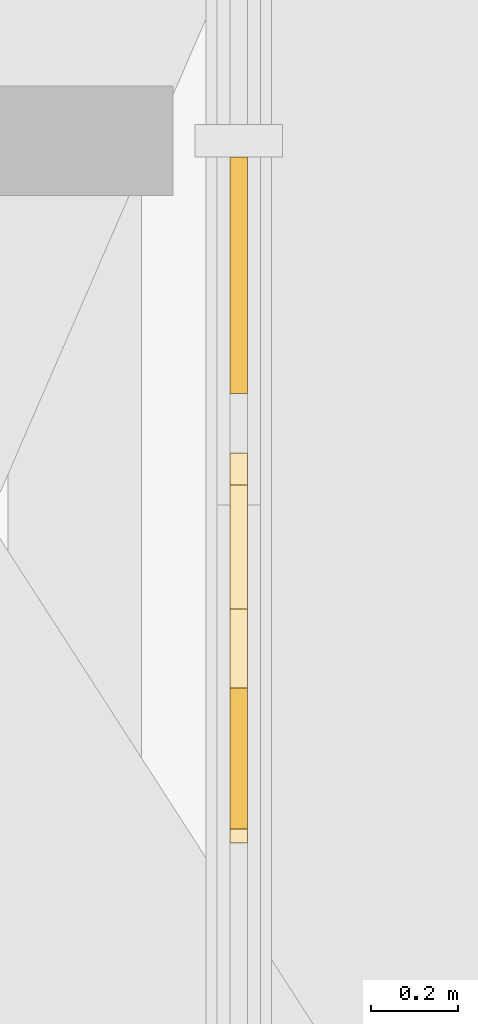
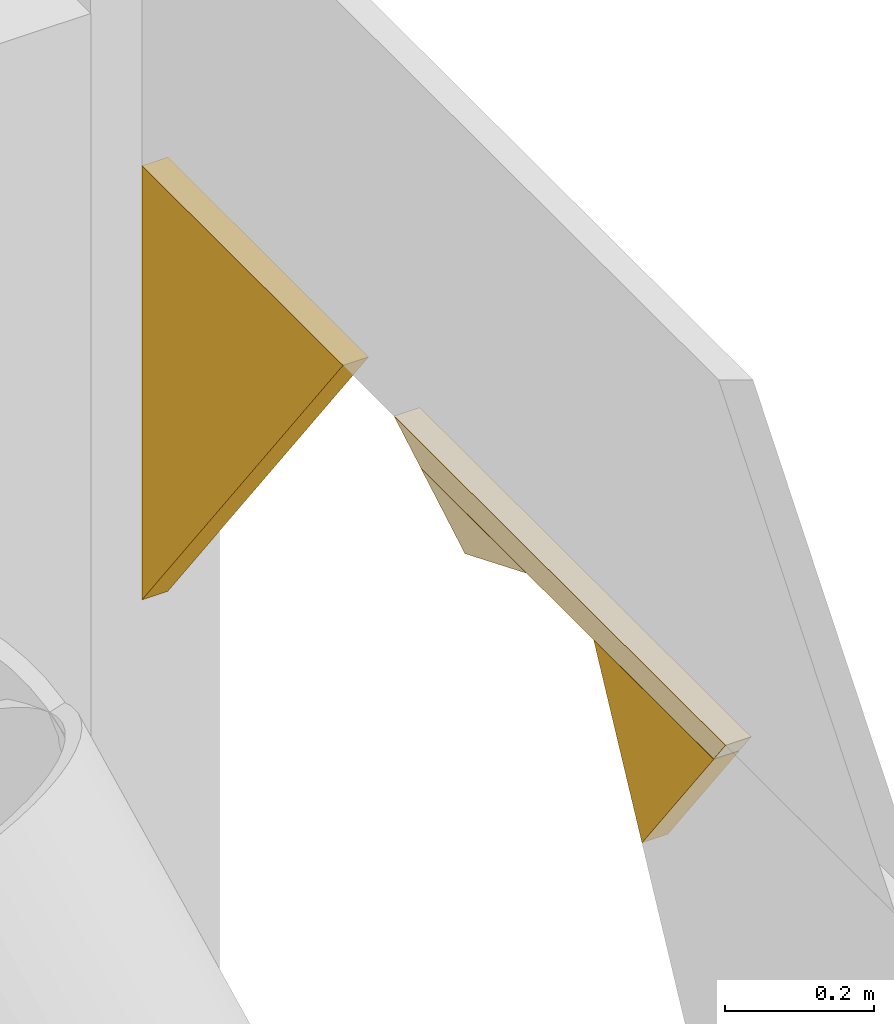
# One storey, part 24 of 27: 4 coverings.
"""IFC4 building model written with IfcOpenShell, lengths in metres."""

from ifc_helpers import new_model, si_unit, direction, frame, origin, place, context, subcontext, project, spatial, polyline, outline, extrude, material, layer, layer_set, type_object, element, save


model = new_model("IFC4")

# Units and contexts
model_context = context("Model", 3, precision=1e-05, world=origin(), true_north=direction((0.0, 1.0)))
body_context = subcontext(model_context, "Body", "Model", "MODEL_VIEW")
ifc_project = project(units=[si_unit("LENGTHUNIT", "METRE"), si_unit("AREAUNIT", "SQUARE_METRE"), si_unit("VOLUMEUNIT", "CUBIC_METRE"), si_unit("PLANEANGLEUNIT", "RADIAN"), si_unit("MASSUNIT", "GRAM", prefix="KILO")], contexts=[model_context])

# Site, building, storey
site_placement = place(None, origin())
site = spatial("IfcSite", under=ifc_project, at=site_placement, CompositionType="ELEMENT")
building_placement = place(site_placement, origin())
building = spatial("IfcBuilding", under=site, at=building_placement, Name="Malebo Sky Hospital", CompositionType="ELEMENT")
storey_placement = place(building_placement, frame((0.0, 0.0, 245.0)))
storey = spatial("IfcBuildingStorey", under=building, at=storey_placement, Name="L59", CompositionType="ELEMENT", Elevation=245.0)

# Coverings
ifc_material = material(Name="Anodised aluminium, natural silver insulated infill panel", Category="aluminium")
ifc_layer = layer(ifc_material, 0.0400390625)
ifc_layer_set = layer_set([ifc_layer], Name="BRACE INFILL PANEL 40")
covering_type = type_object("IfcCoveringType", Name="BRACE INFILL PANEL 40", PredefinedType="CLADDING", material=ifc_layer_set)
covering_1_placement = place(storey_placement, frame((82.574951171875, 70.692626953125, 3.68994140625), z_axis=(0.0, 0.0, 1.0), x_axis=(0.0, -1.0, 0.0)))
element("IfcCovering", 1, at=covering_1_placement, inside=storey, type_object=covering_type, Name="Brace infill panel 4.2", PredefinedType="CLADDING", context=body_context, shape_type="SweptSolid", body=[
    extrude(outline(polyline([(-0.27001953125, 0.0), (0.27001953125, 0.7119140625), (-0.27001953125, 0.7119140625), (-0.27001953125, 0.0)])), frame((0.0, 0.02001953125, 0.0), z_axis=(0.0, -1.0, 0.0), x_axis=(1.0, 0.0, 0.0)), (0.0, 0.0, 1.0), 0.0400390625),
])
covering_2_placement = place(storey_placement, frame((82.574951171875, 69.588134765625, 4.106201171875), z_axis=(0.0, 0.0, 1.0), x_axis=(0.0, -1.0, 0.0)))
element("IfcCovering", 2, at=covering_2_placement, inside=storey, type_object=covering_type, Name="Brace infill panel 4.4", PredefinedType="CLADDING", context=body_context, shape_type="SweptSolid", body=[
    extrude(outline(polyline([(-0.031494140625, 0.0), (0.161376953125, 0.25390625), (-0.1611328125, 0.25390625), (-0.031494140625, 0.0)])), frame((0.0, 0.02001953125, 0.0), z_axis=(0.0, -1.0, 0.0), x_axis=(1.0, 0.0, 0.0)), (0.0, 0.0, 1.0), 0.0400390625),
])
covering_3_placement = place(storey_placement, frame((82.574951171875, 70.071533203125, 4.2919921875), z_axis=(0.0, 0.0, 1.0), x_axis=(0.0, -1.0, 0.0)))
element("IfcCovering", 3, at=covering_3_placement, inside=storey, type_object=covering_type, Name="Brace infill panel 4.5", PredefinedType="CLADDING", context=body_context, shape_type="SweptSolid", body=[
    extrude(outline(polyline([(-0.0234375, 0.0), (0.141845703125, 0.068115234375), (-0.141845703125, 0.068115234375), (-0.0234375, 0.0)])), frame((0.0, 0.02001953125, 0.0), z_axis=(0.0, -1.0, 0.0), x_axis=(1.0, 0.0, 0.0)), (0.0, 0.0, 1.0), 0.0400390625),
])
covering_4_placement = place(storey_placement, frame((82.574951171875, 69.840576171875, 4.3603515625), z_axis=(0.0, 0.0, 1.0), x_axis=(0.0, -1.0, 0.0)))
element("IfcCovering", 4, at=covering_4_placement, inside=storey, type_object=covering_type, Name="Brace infill panel 4.6", PredefinedType="CLADDING", context=body_context, shape_type="SweptSolid", body=[
    extrude(outline(polyline([(-0.372802734375, 0.0), (0.41357421875, 0.0), (0.4453125, 0.041748046875), (-0.4453125, 0.041748046875), (-0.372802734375, 0.0)])), frame((0.0, 0.02001953125, 0.0), z_axis=(0.0, -1.0, 0.0), x_axis=(1.0, 0.0, 0.0)), (0.0, 0.0, 1.0), 0.0400390625),
])

save(model, "model.ifc")
